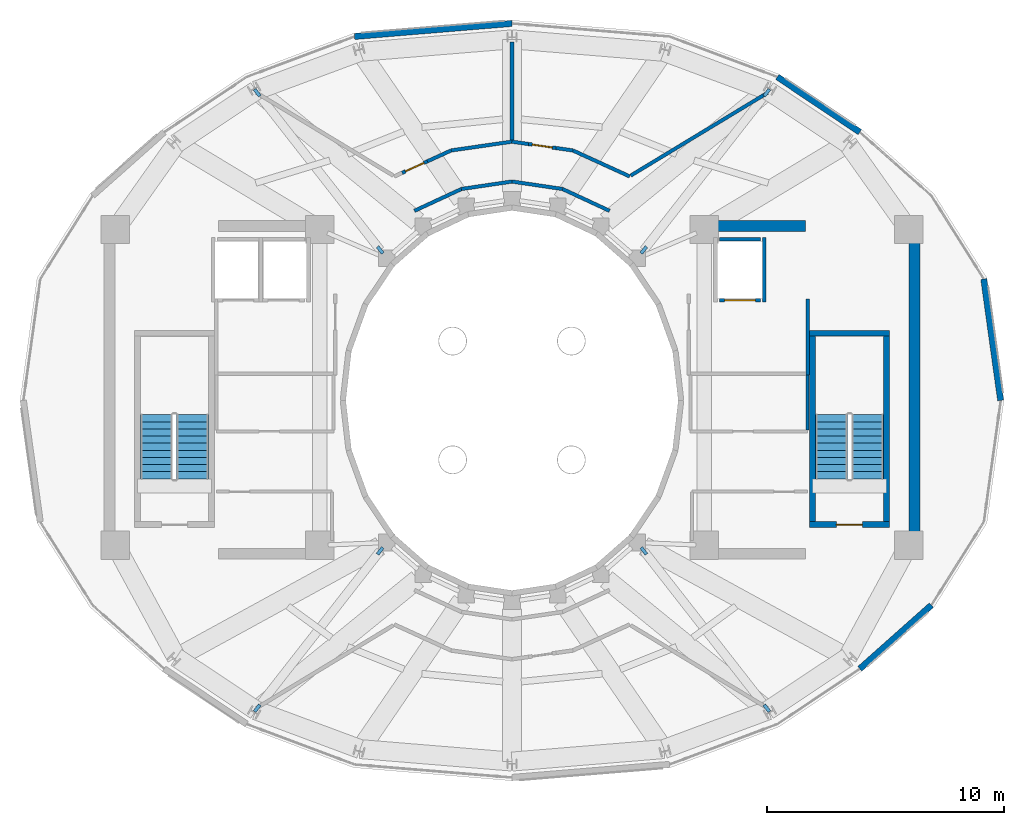
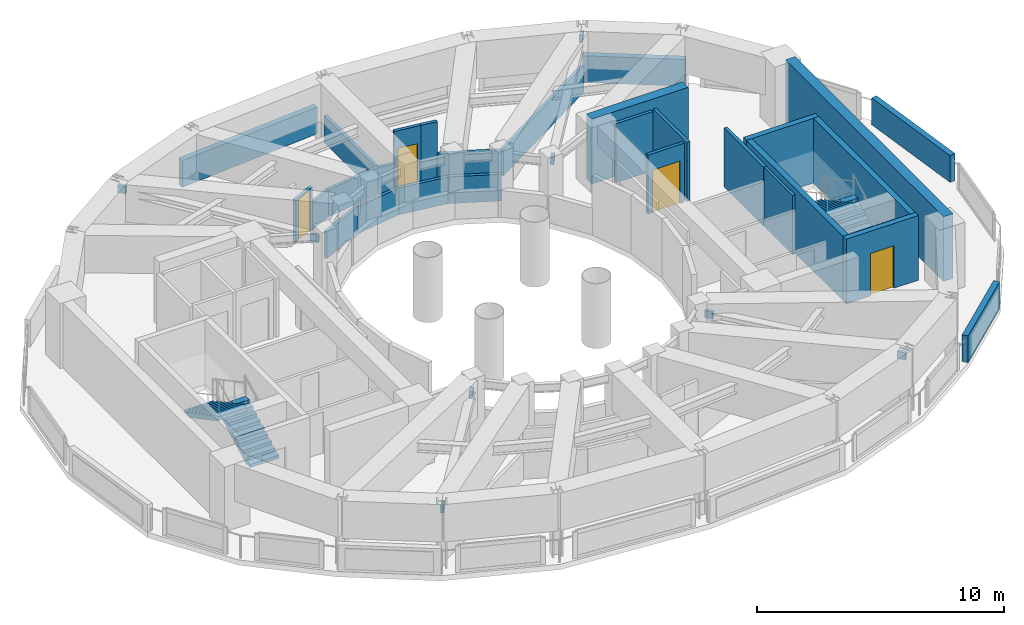
# One storey, part 15 of 18: 28 walls, 8 discrete accessories, 4 doors, 4 stair flights, 4 openings, 2 elements without a shape of their own.
"""IFC4 building model written with IfcOpenShell, lengths in metres."""

import ifcopenshell
import ifcopenshell.guid

model = None  # the IFC model being written
_history = None  # IfcOwnerHistory: only IFC2X3 demands one
_inside = {}  # id of a spatial element -> (the spatial element, [elements in it])
_under = {}  # id of a project, library or spatial element -> (it, [spatial elements below it])
_declared = {}  # id of a project -> (the project, [libraries it declares])
_typed = {}  # id of a type object -> (the type object, [elements of that type])
_made_of = {}  # id of a material, layer set ... -> (it, [elements and type objects made of it])


def new_model(schema):
    """Start an empty IFC model of exactly this schema.

    Asked for "IFC4X3", IfcOpenShell would pick the latest addendum, in which some entities
    have other attributes; the version numbers below select the first issue.
    IFC2X3 requires an IfcOwnerHistory on every rooted entity: one is made here for all.
    """
    global model, _history
    if schema == "IFC4X3":
        model = ifcopenshell.file(schema_version=(4, 3, 0, 0))
    else:
        model = ifcopenshell.file(schema=schema)
    _inside.clear()
    _under.clear()
    _declared.clear()
    _typed.clear()
    _made_of.clear()
    _history = None
    if model.schema == "IFC2X3":
        org = make("IfcOrganization", Name="unknown")
        user = make(
            "IfcPersonAndOrganization",
            ThePerson=make("IfcPerson", FamilyName="unknown"),
            TheOrganization=org,
        )
        app = make(
            "IfcApplication",
            ApplicationDeveloper=org,
            Version="unknown",
            ApplicationFullName="unknown",
            ApplicationIdentifier="unknown",
        )
        _history = make(
            "IfcOwnerHistory",
            OwningUser=user,
            OwningApplication=app,
            ChangeAction="ADDED",
            CreationDate=0,
        )
    return model


def make(cls, **values):
    """One entity of the class cls with the attributes given. An attribute that is None is left unset."""
    return model.create_entity(
        cls, **{name: value for name, value in values.items() if value is not None}
    )


def rooted(cls, **values):
    """An entity with a GlobalId (a new one), such as an element, a storey or a relation."""
    return make(cls, GlobalId=ifcopenshell.guid.new(), OwnerHistory=_history, **values)


def si_unit(unit_type, name, prefix=None):
    """IfcSIUnit, for example si_unit("LENGTHUNIT", "METRE", prefix="MILLI")."""
    return make("IfcSIUnit", UnitType=unit_type, Prefix=prefix, Name=name)


def assignment(units):
    """IfcUnitAssignment: the units of a project."""
    return None if units is None else make("IfcUnitAssignment", Units=units)


def point(xyz):
    """IfcCartesianPoint."""
    return None if xyz is None else make("IfcCartesianPoint", Coordinates=xyz)


def direction(xyz):
    """IfcDirection."""
    return None if xyz is None else make("IfcDirection", DirectionRatios=xyz)


def frame(location, z_axis=None, x_axis=None):
    """IfcAxis2Placement3D, a coordinate frame: its origin and axes. An axis left out is left unset."""
    return make(
        "IfcAxis2Placement3D",
        Location=point(location),
        Axis=direction(z_axis),
        RefDirection=direction(x_axis),
    )


def frame_2d(location, x_axis=None):
    """IfcAxis2Placement2D, a coordinate frame in the plane: its origin and x axis."""
    return make(
        "IfcAxis2Placement2D", Location=point(location), RefDirection=direction(x_axis)
    )


def origin():
    """The frame at (0, 0, 0) with its axes left unset."""
    return frame((0.0, 0.0, 0.0))


def origin_2d():
    """The frame at (0, 0) in the plane with its x axis left unset."""
    return frame_2d((0.0, 0.0))


def place(relative_to, where):
    """IfcLocalPlacement: puts the frame where relative to a parent placement (None: the world)."""
    return make(
        "IfcLocalPlacement", PlacementRelTo=relative_to, RelativePlacement=where
    )


def context(
    kind, dimensions, precision=None, world=None, true_north=None, identifier=None
):
    """IfcGeometricRepresentationContext, for example the 3D "Model" context."""
    return make(
        "IfcGeometricRepresentationContext",
        ContextIdentifier=identifier,
        ContextType=kind,
        CoordinateSpaceDimension=dimensions,
        Precision=precision,
        WorldCoordinateSystem=world,
        TrueNorth=true_north,
    )


def subcontext(parent, identifier, kind, view, scale=None):
    """IfcGeometricRepresentationSubContext, for example "Body" below "Model"."""
    return make(
        "IfcGeometricRepresentationSubContext",
        ContextIdentifier=identifier,
        ContextType=kind,
        ParentContext=parent,
        TargetScale=scale,
        TargetView=view,
    )


def project(units=None, contexts=None):
    """IfcProject with its units and contexts."""
    return rooted(
        "IfcProject",
        Name="project",
        RepresentationContexts=contexts,
        UnitsInContext=assignment(units),
    )


def spatial(cls, under=None, at=None, **own):
    """A site, building, storey or space (cls), placed at a placement, below another one or the project."""
    s = rooted(cls, ObjectPlacement=at, **own)
    if under is not None:
        _under.setdefault(under.id(), (under, []))[1].append(s)
    return s


def polyline(points):
    """IfcPolyline through the points."""
    return make("IfcPolyline", Points=[point(p) for p in points])


def profile(cls, at=None, kind="AREA", **sizes):
    """A parametric profile (cls). Its sizes go by their IFC names, for example OverallWidth=200.0."""
    return make(cls, ProfileType=kind, Position=at, **sizes)


def rectangle(**sizes):
    """IfcRectangleProfileDef."""
    return profile("IfcRectangleProfileDef", **sizes)


def outline(outer, holes=None, kind="AREA"):
    """IfcArbitraryClosedProfileDef: a profile drawn as a closed curve; with holes, ...WithVoids."""
    if holes is None:
        return make("IfcArbitraryClosedProfileDef", ProfileType=kind, OuterCurve=outer)
    return make(
        "IfcArbitraryProfileDefWithVoids",
        ProfileType=kind,
        OuterCurve=outer,
        InnerCurves=holes,
    )


def extrude(swept, where, along, depth):
    """IfcExtrudedAreaSolid: the profile swept, set in the frame where, extruded along a direction by depth."""
    return make(
        "IfcExtrudedAreaSolid",
        SweptArea=swept,
        Position=where,
        ExtrudedDirection=direction(along),
        Depth=depth,
    )


def shape(context_of_items, identifier, shape_type, items):
    """IfcShapeRepresentation: the items that make up one representation, for example the "Body"."""
    return make(
        "IfcShapeRepresentation",
        ContextOfItems=context_of_items,
        RepresentationIdentifier=identifier,
        RepresentationType=shape_type,
        Items=items,
    )


def material(Name=None, Category=None):
    """IfcMaterial."""
    return make("IfcMaterial", Name=Name, Category=Category)


def layer(
    of_material, thickness, ventilated=None, Name=None, Category=None, Priority=None
):
    """IfcMaterialLayer: one layer of a wall or slab, of a material (None: an air gap)."""
    return make(
        "IfcMaterialLayer",
        Material=of_material,
        LayerThickness=thickness,
        IsVentilated=ventilated,
        Name=Name,
        Category=Category,
        Priority=Priority,
    )


def layer_set(layers, Name=None):
    """IfcMaterialLayerSet."""
    return make("IfcMaterialLayerSet", MaterialLayers=layers, LayerSetName=Name)


def made_of(thing, what):
    """Note that an element or type object is made of a material, layer set ...; save() writes the relation."""
    if what is not None:
        _made_of.setdefault(what.id(), (what, []))[1].append(thing)
    return thing


def type_object(cls, material=None, **own):
    """A type object (cls), such as IfcWallType, which elements share."""
    return made_of(rooted(cls, **own), material)


def element(
    cls,
    number,
    at=None,
    inside=None,
    cuts=None,
    type_object=None,
    material=None,
    context=None,
    identifier="Body",
    shape_type=None,
    held_by="IfcProductDefinitionShape",
    body=None,
    shapes=None,
    **own,
):
    """One element of the class cls, such as IfcWall. Its Tag is "e" and its number.

    at: its placement. inside: the storey or other place that contains it. cuts: it is an
    opening in that element (IfcRelVoidsElement). A single representation is given by context,
    identifier, shape_type and body (its items); several are given by shapes. held_by: the class
    of the entity that holds the representations. save() writes the other relations.
    """
    e = rooted(cls, Tag="e%d" % number, ObjectPlacement=at, **own)
    if body is not None:
        shapes = [shape(context, identifier, shape_type, body)]
    if shapes is not None:
        e.Representation = make(held_by, Representations=shapes)
    if inside is not None:
        _inside.setdefault(inside.id(), (inside, []))[1].append(e)
    if cuts is not None:
        rooted(
            "IfcRelVoidsElement", RelatingBuildingElement=cuts, RelatedOpeningElement=e
        )
    if type_object is not None:
        _typed.setdefault(type_object.id(), (type_object, []))[1].append(e)
    return made_of(e, material)


def fill(opening, filler):
    """IfcRelFillsElement: the door or window that sits in an opening."""
    return rooted(
        "IfcRelFillsElement",
        RelatingOpeningElement=opening,
        RelatedBuildingElement=filler,
    )


def aggregate(whole, parts):
    """IfcRelAggregates: a whole, such as a stair, and the parts it consists of."""
    return rooted("IfcRelAggregates", RelatingObject=whole, RelatedObjects=parts)


def save(model, path):
    """Write the relations noted so far, then the file.

    IfcRelAggregates (storeys below a building ...), IfcRelContainedInSpatialStructure (elements
    in a storey), IfcRelDefinesByType, IfcRelAssociatesMaterial and IfcRelDeclares: one each for
    every whole, place, type object, material and project.
    """
    for whole, parts in _under.values():
        aggregate(whole, parts)
    for where, things in _inside.values():
        rooted(
            "IfcRelContainedInSpatialStructure",
            RelatedElements=things,
            RelatingStructure=where,
        )
    for kind, things in _typed.values():
        rooted("IfcRelDefinesByType", RelatedObjects=things, RelatingType=kind)
    for what, things in _made_of.values():
        rooted("IfcRelAssociatesMaterial", RelatedObjects=things, RelatingMaterial=what)
    for by, libraries in _declared.values():
        rooted("IfcRelDeclares", RelatingContext=by, RelatedDefinitions=libraries)
    model.write(path)


model = new_model("IFC4")

# Units and contexts
model_context = context("Model", 3, precision=1e-05, world=origin(), true_north=direction((0.0, 1.0)))
body_context = subcontext(model_context, "Body", "Model", "MODEL_VIEW")
ifc_project = project(units=[si_unit("LENGTHUNIT", "METRE"), si_unit("AREAUNIT", "SQUARE_METRE"), si_unit("VOLUMEUNIT", "CUBIC_METRE"), si_unit("PLANEANGLEUNIT", "RADIAN"), si_unit("MASSUNIT", "GRAM", prefix="KILO")], contexts=[model_context])

# Site, building, storey
site_placement = place(None, origin())
site = spatial("IfcSite", under=ifc_project, at=site_placement, CompositionType="ELEMENT")
building_placement = place(site_placement, origin())
building = spatial("IfcBuilding", under=site, at=building_placement, Name="Solvane Sanctuary Tower", CompositionType="ELEMENT")
storey_placement = place(building_placement, frame((0.0, 0.0, 266.800048828125)))
storey = spatial("IfcBuildingStorey", under=building, at=storey_placement, Name="L81", CompositionType="ELEMENT", Elevation=266.800048828125)

# Walls
ifc_material_1 = material(Name="Concrete C50/60", Category="concrete")
ifc_layer_1 = layer(ifc_material_1, 0.449951171875, Name="Concrete C50/60")
ifc_layer_set_1 = layer_set([ifc_layer_1], Name="Concrete C50/60")
wall_type_1 = type_object("IfcWallType", Name="Wall W-CORE-450", PredefinedType="SHEAR", material=ifc_layer_set_1)
wall_1_placement = place(storey_placement, frame((48.949951171875, 17.050048828125, 0.0), z_axis=(0.0, 0.0, 1.0), x_axis=(0.0, 1.0, 0.0)))
element("IfcWall", 1, at=wall_1_placement, inside=storey, type_object=wall_type_1, Name="L81 Core Shear Wall EC-E", PredefinedType="SHEAR", context=body_context, shape_type="SweptSolid", body=[
    extrude(rectangle(XDim=12.800048828125, YDim=0.449951171875, at=frame_2d((6.39990234375, 0.0))), origin(), (0.0, 0.0, 1.0), 3.199951171875),
])
wall_2_placement = place(storey_placement, frame((39.85009765625, 30.35009765625, 0.0), z_axis=(0.0, 0.0, 1.0), x_axis=(1.0, 0.0, 0.0)))
element("IfcWall", 2, at=wall_2_placement, inside=storey, type_object=wall_type_1, Name="L81 Core Shear Wall EC-N", PredefinedType="SHEAR", context=body_context, shape_type="SweptSolid", body=[
    extrude(rectangle(XDim=4.5, YDim=0.449951171875, at=frame_2d((2.25, 0.0))), origin(), (0.0, 0.0, 1.0), 3.199951171875),
])
ifc_material_2 = material(Name="Acoustic Gypsum Partition Board")
ifc_layer_2 = layer(ifc_material_2, 0.14990234375, Name="Acoustic Gypsum Partition Board")
ifc_layer_set_2 = layer_set([ifc_layer_2], Name="Acoustic Gypsum Partition Board")
wall_type_2 = type_object("IfcWallType", Name="Wall W-CORR-150", PredefinedType="PARTITIONING", material=ifc_layer_set_2)
wall_3_placement = place(storey_placement, frame((44.449951171875, 24.080078125, 0.0), z_axis=(0.0, 0.0, 1.0), x_axis=(0.0, 1.0, 0.0)))
element("IfcWall", 3, at=wall_3_placement, inside=storey, type_object=wall_type_2, Name="L81 East Firefighting Lobby East Wall", PredefinedType="PARTITIONING", context=body_context, shape_type="SweptSolid", body=[
    extrude(rectangle(XDim=3.199951171875, YDim=0.14990234375, at=frame_2d((1.60009765625, 0.0))), origin(), (0.0, 0.0, 1.0), 2.9150390625),
])
wall_4_placement = place(storey_placement, frame((36.110107421875, 30.98486328125, 0.0), z_axis=(0.0, 0.0, 1.0), x_axis=(-0.906943449489, 0.421252393975, 0.0)))
element("IfcWall", 4, at=wall_4_placement, inside=storey, type_object=wall_type_2, Name="L81 Light-Well Corridor Rim Wall N1", PredefinedType="PARTITIONING", context=body_context, shape_type="SweptSolid", body=[
    extrude(rectangle(XDim=2.18603515625, YDim=0.14990234375, at=frame_2d((1.093017578125, 0.0))), origin(), (0.0, 0.0, 1.0), 1.320068359375),
])
for number, where, z_axis, x_axis, name in (
    (5, (34.12744140625, 31.90576171875, 0.0), (0.0, 0.0, 1.0), (-0.989268584896, 0.146108408166, 0.0), "L81 Light-Well Corridor Rim Wall N2"),
    (6, (32.0, 32.219970703125, 0.0), (0.0, 0.0, 1.0), (-0.989268584896, -0.146108408166, 0.0), "L81 Light-Well Corridor Rim Wall N3"),
):
    element("IfcWall", number, at=place(storey_placement, frame(where, z_axis=z_axis, x_axis=x_axis)), inside=storey, type_object=wall_type_2, Name=name, PredefinedType="PARTITIONING", context=body_context, shape_type="SweptSolid", body=[
        extrude(rectangle(XDim=2.150634765625, YDim=0.14990234375, at=frame_2d((1.0751953125, 0.0))), origin(), (0.0, 0.0, 1.0), 1.320068359375),
    ])
wall_5_placement = place(storey_placement, frame((29.87255859375, 31.90576171875, 0.0), z_axis=(0.0, 0.0, 1.0), x_axis=(-0.906943449489, -0.421252393975, 0.0)))
element("IfcWall", 7, at=wall_5_placement, inside=storey, type_object=wall_type_2, Name="L81 Light-Well Corridor Rim Wall N4", PredefinedType="PARTITIONING", context=body_context, shape_type="SweptSolid", body=[
    extrude(rectangle(XDim=2.18603515625, YDim=0.14990234375, at=frame_2d((1.093017578125, 0.0))), origin(), (0.0, 0.0, 1.0), 1.320068359375),
])
wall_6_placement = place(storey_placement, frame((36.9970703125, 32.46826171875, 0.0), z_axis=(0.0, 0.0, 1.0), x_axis=(0.855519935897, 0.517769870969, 0.0)))
element("IfcWall", 8, at=wall_6_placement, inside=storey, type_object=wall_type_2, Name="L81 Mechanical Plant Radial Wall 060", PredefinedType="PARTITIONING", context=body_context, shape_type="SweptSolid", body=[
    extrude(rectangle(XDim=6.736083984375, YDim=0.14990234375, at=frame_2d((3.3681640625, 0.0))), origin(), (0.0, 0.0, 1.0), 1.320068359375),
])
wall_7_placement = place(storey_placement, frame((32.0, 33.955078125, 0.0), z_axis=(0.0, 0.0, 1.0), x_axis=(0.0, 1.0, 0.0)))
element("IfcWall", 9, at=wall_7_placement, inside=storey, type_object=wall_type_2, Name="L81 Mechanical Plant Radial Wall 090", PredefinedType="PARTITIONING", context=body_context, shape_type="SweptSolid", body=[
    extrude(rectangle(XDim=4.142822265625, YDim=0.14990234375, at=frame_2d((2.0712890625, 0.0))), origin(), (0.0, 0.0, 1.0), 1.320068359375),
])
wall_8_placement = place(storey_placement, frame((36.9560546875, 32.435791015625, 0.0), z_axis=(0.0, 0.0, 1.0), x_axis=(-0.909736731002, 0.415185597373, 0.0)))
element("IfcWall", 10, at=wall_8_placement, inside=storey, type_object=wall_type_2, Name="L81 Plant Corridor Wall 1", PredefinedType="PARTITIONING", context=body_context, shape_type="SweptSolid", body=[
    extrude(rectangle(XDim=2.63330078125, YDim=0.14990234375, at=frame_2d((1.316650390625, 0.0))), origin(), (0.0, 0.0, 1.0), 1.320068359375),
])
wall_9_placement = place(storey_placement, frame((34.56396484375, 33.528076171875, 0.0), z_axis=(0.0, 0.0, 1.0), x_axis=(-0.98967396594, 0.143336810138, 0.0)))
element("IfcWall", 11, at=wall_9_placement, inside=storey, type_object=wall_type_2, Name="L81 Plant Corridor Wall 1", PredefinedType="PARTITIONING", context=body_context, shape_type="SweptSolid", body=[
    extrude(rectangle(XDim=0.713623046875, YDim=0.14990234375, at=frame_2d((0.35693359375, 0.0))), origin(), (0.0, 0.0, 1.0), 2.9150390625),
])

# Wall, opening, door
wall_10_placement = place(storey_placement, frame((33.857666015625, 33.63037109375, 0.0), z_axis=(0.0, 0.0, 1.0), x_axis=(-0.989701767603, 0.143144721184, 0.0)))
wall_10 = element("IfcWall", 12, at=wall_10_placement, inside=storey, type_object=wall_type_2, Name="L81 Plant Corridor Wall 1", PredefinedType="PARTITIONING", context=body_context, shape_type="SweptSolid", body=[
    extrude(rectangle(XDim=1.169921875, YDim=0.14990234375, at=frame_2d((0.5849609375, 0.0))), origin(), (0.0, 0.0, 1.0), 2.9150390625),
])
opening_1_placement = place(wall_10_placement, frame((0.159912109375, 0.0, 0.0)))
opening_1 = element("IfcOpeningElement", 13, at=opening_1_placement, cuts=wall_10, Name="Opening D-L81-09", PredefinedType="OPENING", context=body_context, shape_type="SweptSolid", body=[
    extrude(rectangle(XDim=0.85009765625, YDim=2.050048828125, at=frame_2d((0.425048828125, 1.02490234375))), frame((0.0, 0.0849609375, 0.0), z_axis=(0.0, -1.0, 0.0), x_axis=(1.0, 0.0, 0.0)), (0.0, 0.0, 1.0), 0.169921875),
])
ifc_material_3 = material(Name="Architectural Stainless Steel 316", Category="steel")
door_type_1 = type_object("IfcDoorType", Name="Door D-RISER", OperationType="NOTDEFINED", PredefinedType="DOOR", material=ifc_material_3)
door_1_placement = place(opening_1_placement, origin())
door_1 = element("IfcDoor", 14, at=door_1_placement, inside=storey, type_object=door_type_1, Name="L81 Plant Room Door 1", OperationType="SINGLE_SWING_LEFT", OverallHeight=2.050048828125, OverallWidth=0.85009765625, PredefinedType="DOOR", context=body_context, shape_type="SweptSolid", body=[
    extrude(rectangle(XDim=0.85009765625, YDim=2.050048828125, at=frame_2d((0.425048828125, 1.02490234375))), frame((0.0, 0.02490234375, 0.0), z_axis=(0.0, -1.0, 0.0), x_axis=(1.0, 0.0, 0.0)), (0.0, 0.0, 1.0), 0.050048828125),
])
fill(opening_1, door_1)

# Walls
wall_11_placement = place(storey_placement, frame((32.69970703125, 33.7978515625, 0.0), z_axis=(0.0, 0.0, 1.0), x_axis=(-0.989729432137, 0.142953318118, 0.0)))
element("IfcWall", 15, at=wall_11_placement, inside=storey, type_object=wall_type_2, Name="L81 Plant Corridor Wall 1", PredefinedType="PARTITIONING", context=body_context, shape_type="SweptSolid", body=[
    extrude(rectangle(XDim=0.7138671875, YDim=0.14990234375, at=frame_2d((0.35693359375, 0.0))), origin(), (0.0, 0.0, 1.0), 1.320068359375),
])
wall_12_placement = place(storey_placement, frame((32.0068359375, 33.89990234375, 0.0), z_axis=(0.0, 0.0, 1.0), x_axis=(-0.989701742337, -0.143144895876, 0.0)))
element("IfcWall", 16, at=wall_12_placement, inside=storey, type_object=wall_type_2, Name="L81 Plant Corridor Wall 2", PredefinedType="PARTITIONING", context=body_context, shape_type="SweptSolid", body=[
    extrude(rectangle(XDim=2.59765625, YDim=0.14990234375, at=frame_2d((1.298828125, 0.0))), origin(), (0.0, 0.0, 1.0), 1.320068359375),
])
wall_13_placement = place(storey_placement, frame((29.439453125, 33.529052734375, 0.0), z_axis=(0.0, 0.0, 1.0), x_axis=(-0.909797051829, -0.415053399557, 0.0)))
element("IfcWall", 17, at=wall_13_placement, inside=storey, type_object=wall_type_2, Name="L81 Plant Corridor Wall 2", PredefinedType="PARTITIONING", context=body_context, shape_type="SweptSolid", body=[
    extrude(rectangle(XDim=1.102783203125, YDim=0.14990234375, at=frame_2d((0.55126953125, 0.0))), origin(), (0.0, 0.0, 1.0), 1.320068359375),
])

# Wall, opening, door
wall_14_placement = place(storey_placement, frame((28.43603515625, 33.0712890625, 0.0), z_axis=(0.0, 0.0, 1.0), x_axis=(-0.90972227288, -0.415217275925, 0.0)))
wall_14 = element("IfcWall", 18, at=wall_14_placement, inside=storey, type_object=wall_type_2, Name="L81 Plant Corridor Wall 2", PredefinedType="PARTITIONING", context=body_context, shape_type="SweptSolid", body=[
    extrude(rectangle(XDim=1.170166015625, YDim=0.14990234375, at=frame_2d((0.5849609375, 0.0))), origin(), (0.0, 0.0, 1.0), 2.10986328125),
])
opening_2_placement = place(wall_14_placement, frame((0.159912109375, 0.0, 0.0)))
opening_2 = element("IfcOpeningElement", 19, at=opening_2_placement, cuts=wall_14, Name="Opening D-L81-10", PredefinedType="OPENING", context=body_context, shape_type="SweptSolid", body=[
    extrude(rectangle(XDim=0.85009765625, YDim=2.050048828125, at=frame_2d((0.425048828125, 1.02490234375))), frame((0.0, 0.0849609375, 0.0), z_axis=(0.0, -1.0, 0.0), x_axis=(1.0, 0.0, 0.0)), (0.0, 0.0, 1.0), 0.169921875),
])
door_2_placement = place(opening_2_placement, origin())
door_2 = element("IfcDoor", 20, at=door_2_placement, inside=storey, type_object=door_type_1, Name="L81 Plant Room Door 2", OperationType="SINGLE_SWING_RIGHT", OverallHeight=2.050048828125, OverallWidth=0.85009765625, PredefinedType="DOOR", context=body_context, shape_type="SweptSolid", body=[
    extrude(rectangle(XDim=0.85009765625, YDim=2.050048828125, at=frame_2d((0.425048828125, 1.02490234375))), frame((0.0, 0.02490234375, 0.0), z_axis=(0.0, -1.0, 0.0), x_axis=(1.0, 0.0, 0.0)), (0.0, 0.0, 1.0), 0.050048828125),
])
fill(opening_2, door_2)

# Walls
ifc_material_4 = material(Name="Precast concrete C40/50", Category="concrete")
ifc_layer_3 = layer(ifc_material_4, 0.260009765625, Name="Precast concrete C40/50")
ifc_layer_set_3 = layer_set([ifc_layer_3], Name="Precast concrete C40/50")
wall_type_3 = type_object("IfcWallType", Name="Wall W-EXT-250", PredefinedType="STANDARD", material=ifc_layer_set_3)
wall_15_placement = place(storey_placement, frame((52.580078125, 23.0, 0.0), z_axis=(0.0, 0.0, 1.0), x_axis=(-0.137694611679, 0.990474731588, 0.0)))
element("IfcWall", 21, at=wall_15_placement, inside=storey, type_object=wall_type_3, Name="L81 Crown Acoustic Louvred Wall 00", PredefinedType="STANDARD", context=body_context, shape_type="SweptSolid", body=[
    extrude(rectangle(XDim=5.1650390625, YDim=0.260009765625, at=frame_2d((2.58251953125, 0.0))), origin(), (0.0, 0.0, 1.0), 1.320068359375),
])
wall_16_placement = place(storey_placement, frame((46.646728515625, 34.30029296875, 0.0), z_axis=(0.0, 0.0, 1.0), x_axis=(-0.830699736256, 0.556720709319, 0.0)))
element("IfcWall", 22, at=wall_16_placement, inside=storey, type_object=wall_type_3, Name="L81 Crown Acoustic Louvred Wall 03", PredefinedType="STANDARD", context=body_context, shape_type="SweptSolid", body=[
    extrude(rectangle(XDim=4.17919921875, YDim=0.260009765625, at=frame_2d((2.089599609375, 0.0))), origin(), (0.0, 0.0, 1.0), 1.320068359375),
])
wall_17_placement = place(storey_placement, frame((32.0, 38.8779296875, 0.0), z_axis=(0.0, 0.0, 1.0), x_axis=(-0.996594930521, -0.08245328653, 0.0)))
element("IfcWall", 23, at=wall_17_placement, inside=storey, type_object=wall_type_3, Name="L81 Crown Acoustic Louvred Wall 06", PredefinedType="STANDARD", context=body_context, shape_type="SweptSolid", body=[
    extrude(rectangle(XDim=6.6533203125, YDim=0.260009765625, at=frame_2d((3.32666015625, 0.0))), origin(), (0.0, 0.0, 1.0), 1.320068359375),
])
wall_18_placement = place(storey_placement, frame((46.646728515625, 11.69970703125, 0.0), z_axis=(0.0, 0.0, 1.0), x_axis=(0.747666410784, 0.664074497467, 0.0)))
element("IfcWall", 24, at=wall_18_placement, inside=storey, type_object=wall_type_3, Name="L81 Crown Acoustic Louvred Wall 21", PredefinedType="STANDARD", context=body_context, shape_type="SweptSolid", body=[
    extrude(rectangle(XDim=4.033447265625, YDim=0.260009765625, at=frame_2d((2.0166015625, 0.0))), origin(), (0.0, 0.0, 1.0), 1.320068359375),
])
ifc_layer_4 = layer(ifc_material_2, 0.125, Name="Acoustic Gypsum Partition Board")
ifc_layer_set_4 = layer_set([ifc_layer_4], Name="Acoustic Gypsum Partition Board")
wall_type_4 = type_object("IfcWallType", Name="Wall W-PART-125", PredefinedType="PARTITIONING", material=ifc_layer_set_4)
wall_19_placement = place(storey_placement, frame((44.449951171875, 21.760009765625, 0.0), z_axis=(0.0, 0.0, 1.0), x_axis=(0.0, 1.0, 0.0)))
element("IfcWall", 25, at=wall_19_placement, inside=storey, type_object=wall_type_4, Name="L81 Reclaimed Room Closer Wall PME-2", PredefinedType="PARTITIONING", context=body_context, shape_type="SweptSolid", body=[
    extrude(rectangle(XDim=2.320068359375, YDim=0.125, at=frame_2d((1.16015625, 0.0))), origin(), (0.0, 0.0, 1.0), 2.9150390625),
])

# Wall, opening, door
ifc_layer_5 = layer(ifc_material_1, 0.14990234375, Name="Concrete C50/60")
ifc_layer_set_5 = layer_set([ifc_layer_5], Name="Concrete C50/60")
wall_type_5 = type_object("IfcWallType", Name="Wall W-SHAFT-150", PredefinedType="SOLIDWALL", material=ifc_layer_set_5)
wall_20_placement = place(storey_placement, frame((40.739990234375, 27.219970703125, 0.0), z_axis=(0.0, 0.0, 1.0), x_axis=(1.0, 0.0, 0.0)))
wall_20 = element("IfcWall", 26, at=wall_20_placement, inside=storey, type_object=wall_type_5, Name="L81 FFL-2 Lift Shaft Wall F", PredefinedType="SOLIDWALL", context=body_context, shape_type="SweptSolid", body=[
    extrude(rectangle(XDim=1.719970703125, YDim=0.14990234375, at=frame_2d((0.85986328125, 0.0))), origin(), (0.0, 0.0, 1.0), 2.9150390625),
])
opening_3_placement = place(wall_20_placement, frame((0.2099609375, 0.0, 0.0)))
opening_3 = element("IfcOpeningElement", 27, at=opening_3_placement, cuts=wall_20, Name="Opening LD-L81-03", PredefinedType="OPENING", context=body_context, shape_type="SweptSolid", body=[
    extrude(rectangle(XDim=1.300048828125, YDim=2.10009765625, at=frame_2d((0.64990234375, 1.050048828125))), frame((0.0, 0.0849609375, 0.0), z_axis=(0.0, -1.0, 0.0), x_axis=(1.0, 0.0, 0.0)), (0.0, 0.0, 1.0), 0.169921875),
])
door_type_2 = type_object("IfcDoorType", Name="Door LD-FFL-1300", OperationType="NOTDEFINED", PredefinedType="DOOR", material=ifc_material_3)
door_3_placement = place(opening_3_placement, origin())
door_3 = element("IfcDoor", 28, at=door_3_placement, inside=storey, type_object=door_type_2, Name="L81 FFL-2 Lift Landing Door", OperationType="DOUBLE_DOOR_SLIDING", OverallHeight=2.10009765625, OverallWidth=1.300048828125, PredefinedType="DOOR", context=body_context, shape_type="SweptSolid", body=[
    extrude(rectangle(XDim=1.300048828125, YDim=2.10009765625, at=frame_2d((0.64990234375, 1.050048828125))), frame((0.0, 0.02490234375, 0.0), z_axis=(0.0, -1.0, 0.0), x_axis=(1.0, 0.0, 0.0)), (0.0, 0.0, 1.0), 0.050048828125),
])
fill(opening_3, door_3)

# Walls
wall_21_placement = place(storey_placement, frame((40.739990234375, 29.780029296875, 0.0), z_axis=(0.0, 0.0, 1.0), x_axis=(1.0, 0.0, 0.0)))
element("IfcWall", 29, at=wall_21_placement, inside=storey, type_object=wall_type_5, Name="L81 FFL-2 Lift Shaft Wall B", PredefinedType="SOLIDWALL", context=body_context, shape_type="SweptSolid", body=[
    extrude(rectangle(XDim=1.719970703125, YDim=0.14990234375, at=frame_2d((0.85986328125, 0.0))), origin(), (0.0, 0.0, 1.0), 2.9150390625),
])
wall_22_placement = place(storey_placement, frame((42.6298828125, 27.139892578125, 0.0), z_axis=(0.0, 0.0, 1.0), x_axis=(0.0, 1.0, 0.0)))
element("IfcWall", 30, at=wall_22_placement, inside=storey, type_object=wall_type_5, Name="L81 FFL-2 Lift Shaft Wall S2", PredefinedType="SOLIDWALL", context=body_context, shape_type="SweptSolid", body=[
    extrude(rectangle(XDim=2.72021484375, YDim=0.14990234375, at=frame_2d((1.360107421875, 0.0))), origin(), (0.0, 0.0, 1.0), 2.9150390625),
])

# Wall, opening, door
ifc_layer_6 = layer(ifc_material_1, 0.25, Name="Concrete C50/60")
ifc_layer_set_6 = layer_set([ifc_layer_6], Name="Concrete C50/60")
wall_type_6 = type_object("IfcWallType", Name="Wall W-SHAFT-250", PredefinedType="SOLIDWALL", material=ifc_layer_set_6)
wall_23_placement = place(storey_placement, frame((44.52490234375, 17.77001953125, 0.0), z_axis=(0.0, 0.0, 1.0), x_axis=(1.0, 0.0, 0.0)))
wall_23 = element("IfcWall", 31, at=wall_23_placement, inside=storey, type_object=wall_type_6, Name="L81 ST-2 Load-Bearing Shaft Wall S", PredefinedType="SOLIDWALL", context=body_context, shape_type="SweptSolid", body=[
    extrude(rectangle(XDim=3.3701171875, YDim=0.25, at=frame_2d((1.68505859375, 0.0))), origin(), (0.0, 0.0, 1.0), 3.199951171875),
])
opening_4_placement = place(wall_23_placement, frame((1.135009765625, 0.0, 0.0)))
opening_4 = element("IfcOpeningElement", 32, at=opening_4_placement, cuts=wall_23, Name="Opening D-L81-02", PredefinedType="OPENING", context=body_context, shape_type="SweptSolid", body=[
    extrude(rectangle(XDim=1.10009765625, YDim=2.10009765625, at=frame_2d((0.550048828125, 1.050048828125))), frame((0.0, 0.135009765625, 0.0), z_axis=(0.0, -1.0, 0.0), x_axis=(1.0, 0.0, 0.0)), (0.0, 0.0, 1.0), 0.27001953125),
])
door_type_3 = type_object("IfcDoorType", Name="Door D-STAIR", OperationType="NOTDEFINED", PredefinedType="DOOR", material=ifc_material_3)
door_4_placement = place(opening_4_placement, origin())
door_4 = element("IfcDoor", 33, at=door_4_placement, inside=storey, type_object=door_type_3, Name="L81 ST-2 Exit Stair Fire Door", OperationType="SINGLE_SWING_RIGHT", OverallHeight=2.10009765625, OverallWidth=1.10009765625, PredefinedType="DOOR", context=body_context, shape_type="SweptSolid", body=[
    extrude(rectangle(XDim=1.10009765625, YDim=2.10009765625, at=frame_2d((0.550048828125, 1.050048828125))), frame((0.0, 0.02490234375, 0.0), z_axis=(0.0, -1.0, 0.0), x_axis=(1.0, 0.0, 0.0)), (0.0, 0.0, 1.0), 0.050048828125),
])
fill(opening_4, door_4)

# Walls
wall_24_placement = place(storey_placement, frame((44.52490234375, 25.830078125, 0.0), z_axis=(0.0, 0.0, 1.0), x_axis=(1.0, 0.0, 0.0)))
element("IfcWall", 34, at=wall_24_placement, inside=storey, type_object=wall_type_6, Name="L81 ST-2 Load-Bearing Shaft Wall N", PredefinedType="SOLIDWALL", context=body_context, shape_type="SweptSolid", body=[
    extrude(rectangle(XDim=3.3701171875, YDim=0.25, at=frame_2d((1.68505859375, 0.0))), origin(), (0.0, 0.0, 1.0), 3.199951171875),
])
for number, where, z_axis, x_axis, name in (
    (35, (44.64990234375, 17.89501953125, 0.0), (0.0, 0.0, 1.0), (0.0, 1.0, 0.0), "L81 ST-2 Load-Bearing Shaft Wall W"),
    (36, (47.77001953125, 17.89501953125, 0.0), (0.0, 0.0, 1.0), (0.0, 1.0, 0.0), "L81 ST-2 Load-Bearing Shaft Wall E"),
):
    element("IfcWall", number, at=place(storey_placement, frame(where, z_axis=z_axis, x_axis=x_axis)), inside=storey, type_object=wall_type_6, Name=name, PredefinedType="SOLIDWALL", context=body_context, shape_type="SweptSolid", body=[
        extrude(rectangle(XDim=7.81005859375, YDim=0.25, at=frame_2d((3.905029296875, 0.0))), origin(), (0.0, 0.0, 1.0), 3.199951171875),
    ])

# Stair, stair flights
ifc_material_5 = material(Name="Concrete C45/55", Category="concrete")
stair_type = type_object("IfcStairType", Name="Stair ST-TOW", PredefinedType="HALF_TURN_STAIR", material=ifc_material_5)
stair_1_placement = place(storey_placement, origin())
stair_1 = element("IfcStair", 37, at=stair_1_placement, inside=storey, type_object=stair_type, Name="L81 Exit Stair ST-1 West Core", PredefinedType="HALF_TURN_STAIR")
stair_flight_type = type_object("IfcStairFlightType", Name="StairFlight SF-TOW", PredefinedType="STRAIGHT", material=ifc_material_5)
stair_flight_1_placement = place(storey_placement, frame((18.544921875, 19.699951171875, 0.0), z_axis=(0.0, 0.0, 1.0), x_axis=(0.0, 1.0, 0.0)))
stair_flight_1 = element("IfcStairFlight", 38, at=stair_flight_1_placement, type_object=stair_flight_type, Name="ST-1 flight 1", NumberOfRisers=10, NumberOfTreads=9, PredefinedType="STRAIGHT", RiserHeight=0.16, TreadLength=0.3, context=body_context, shape_type="SweptSolid", body=[
    extrude(outline(polyline([(0.0, 0.0), (0.0, 0.159912109375), (0.300048828125, 0.159912109375), (0.300048828125, 0.320068359375), (0.60009765625, 0.320068359375), (0.60009765625, 0.47998046875), (0.89990234375, 0.47998046875), (0.89990234375, 0.639892578125), (1.199951171875, 0.639892578125), (1.199951171875, 0.800048828125), (1.5, 0.800048828125), (1.5, 0.9599609375), (1.800048828125, 0.9599609375), (1.800048828125, 1.1201171875), (2.10009765625, 1.1201171875), (2.10009765625, 1.280029296875), (2.39990234375, 1.280029296875), (2.39990234375, 1.43994140625), (2.699951171875, 1.43994140625), (2.699951171875, 1.60009765625), (2.699951171875, 1.236083984375), (0.38232421875, 0.0), (0.0, 0.0)])), frame((0.0, 0.675048828125, 0.0), z_axis=(0.0, -1.0, 0.0), x_axis=(1.0, 0.0, 0.0)), (0.0, 0.0, 1.0), 1.35009765625),
])
stair_flight_2_placement = place(storey_placement, frame((17.034912109375, 22.39990234375, 1.599853515625), z_axis=(0.0, 0.0, 1.0), x_axis=(0.0, -1.0, 0.0)))
stair_flight_2 = element("IfcStairFlight", 39, at=stair_flight_2_placement, type_object=stair_flight_type, Name="ST-1 flight 2", NumberOfRisers=10, NumberOfTreads=9, PredefinedType="STRAIGHT", RiserHeight=0.16, TreadLength=0.3, context=body_context, shape_type="SweptSolid", body=[
    extrude(outline(polyline([(0.0, 0.0), (0.0, 0.159912109375), (0.300048828125, 0.159912109375), (0.300048828125, 0.320068359375), (0.60009765625, 0.320068359375), (0.60009765625, 0.47998046875), (0.89990234375, 0.47998046875), (0.89990234375, 0.639892578125), (1.199951171875, 0.639892578125), (1.199951171875, 0.800048828125), (1.5, 0.800048828125), (1.5, 0.9599609375), (1.800048828125, 0.9599609375), (1.800048828125, 1.1201171875), (2.10009765625, 1.1201171875), (2.10009765625, 1.280029296875), (2.39990234375, 1.280029296875), (2.39990234375, 1.43994140625), (2.699951171875, 1.43994140625), (2.699951171875, 1.60009765625), (2.699951171875, 1.236083984375), (0.38232421875, 0.0), (0.0, 0.0)])), frame((0.0, 0.675048828125, 0.0), z_axis=(0.0, -1.0, 0.0), x_axis=(1.0, 0.0, 0.0)), (0.0, 0.0, 1.0), 1.35009765625),
])
aggregate(stair_1, [stair_flight_1, stair_flight_2])

stair_2_placement = place(storey_placement, origin())
stair_2 = element("IfcStair", 40, at=stair_2_placement, inside=storey, type_object=stair_type, Name="L81 Exit Stair ST-2 East Core", PredefinedType="HALF_TURN_STAIR")
stair_flight_3_placement = place(storey_placement, frame((46.965087890625, 19.699951171875, 0.0), z_axis=(0.0, 0.0, 1.0), x_axis=(0.0, 1.0, 0.0)))
stair_flight_3 = element("IfcStairFlight", 41, at=stair_flight_3_placement, type_object=stair_flight_type, Name="ST-2 flight 1", NumberOfRisers=10, NumberOfTreads=9, PredefinedType="STRAIGHT", RiserHeight=0.16, TreadLength=0.3, context=body_context, shape_type="SweptSolid", body=[
    extrude(outline(polyline([(0.0, 0.0), (0.0, 0.159912109375), (0.300048828125, 0.159912109375), (0.300048828125, 0.320068359375), (0.60009765625, 0.320068359375), (0.60009765625, 0.47998046875), (0.89990234375, 0.47998046875), (0.89990234375, 0.639892578125), (1.199951171875, 0.639892578125), (1.199951171875, 0.800048828125), (1.5, 0.800048828125), (1.5, 0.9599609375), (1.800048828125, 0.9599609375), (1.800048828125, 1.1201171875), (2.10009765625, 1.1201171875), (2.10009765625, 1.280029296875), (2.39990234375, 1.280029296875), (2.39990234375, 1.43994140625), (2.699951171875, 1.43994140625), (2.699951171875, 1.60009765625), (2.699951171875, 1.236083984375), (0.38232421875, 0.0), (0.0, 0.0)])), frame((0.0, 0.675048828125, 0.0), z_axis=(0.0, -1.0, 0.0), x_axis=(1.0, 0.0, 0.0)), (0.0, 0.0, 1.0), 1.35009765625),
])
stair_flight_4_placement = place(storey_placement, frame((45.455078125, 22.39990234375, 1.599853515625), z_axis=(0.0, 0.0, 1.0), x_axis=(0.0, -1.0, 0.0)))
stair_flight_4 = element("IfcStairFlight", 42, at=stair_flight_4_placement, type_object=stair_flight_type, Name="ST-2 flight 2", NumberOfRisers=10, NumberOfTreads=9, PredefinedType="STRAIGHT", RiserHeight=0.16, TreadLength=0.3, context=body_context, shape_type="SweptSolid", body=[
    extrude(outline(polyline([(0.0, 0.0), (0.0, 0.159912109375), (0.300048828125, 0.159912109375), (0.300048828125, 0.320068359375), (0.60009765625, 0.320068359375), (0.60009765625, 0.47998046875), (0.89990234375, 0.47998046875), (0.89990234375, 0.639892578125), (1.199951171875, 0.639892578125), (1.199951171875, 0.800048828125), (1.5, 0.800048828125), (1.5, 0.9599609375), (1.800048828125, 0.9599609375), (1.800048828125, 1.1201171875), (2.10009765625, 1.1201171875), (2.10009765625, 1.280029296875), (2.39990234375, 1.280029296875), (2.39990234375, 1.43994140625), (2.699951171875, 1.43994140625), (2.699951171875, 1.60009765625), (2.699951171875, 1.236083984375), (0.38232421875, 0.0), (0.0, 0.0)])), frame((0.0, 0.675048828125, 0.0), z_axis=(0.0, -1.0, 0.0), x_axis=(1.0, 0.0, 0.0)), (0.0, 0.0, 1.0), 1.35009765625),
])
aggregate(stair_2, [stair_flight_3, stair_flight_4])

# Discrete accessories
ifc_material_6 = material(Name="Steel ASTM A572 Grade 50", Category="steel")
ifc_layer_7 = layer(ifc_material_6, 0.360107421875, Name="Steel ASTM A572 Grade 50")
ifc_layer_set_7 = layer_set([ifc_layer_7], Name="Steel ASTM A572 Grade 50")
discrete_accessory_type = type_object("IfcDiscreteAccessoryType", Name="Accessory ACC-GUSSET-BRK", PredefinedType="BRACKET", material=ifc_layer_set_7)
for number, where, z_axis, x_axis, name in (
    (43, (37.551513671875, 29.3359375, 2.3603515625), (0.0, 0.0, 1.0), (0.61579899977, 0.787903288407, 0.0), "L81 Crown Bracing Tie 01 End Gusset Bracket A"),
    (44, (42.72900390625, 35.96142578125, 2.55517578125), (0.0, 0.0, 1.0), (0.61579899977, 0.787903288407, 0.0), "L81 Crown Bracing Tie 01 End Gusset Bracket B"),
    (45, (26.448486328125, 29.3359375, 2.3603515625), (0.0, 0.0, 1.0), (-0.61579899977, 0.787903288407, 0.0), "L81 Crown Bracing Tie 07 End Gusset Bracket A"),
    (46, (21.27099609375, 35.96142578125, 2.55517578125), (0.0, 0.0, 1.0), (-0.61579899977, 0.787903288407, 0.0), "L81 Crown Bracing Tie 07 End Gusset Bracket B"),
    (47, (26.448486328125, 16.6640625, 2.3603515625), (0.0, 0.0, 1.0), (-0.61579899977, -0.787903288407, 0.0), "L81 Crown Bracing Tie 08 End Gusset Bracket A"),
    (48, (21.27099609375, 10.03857421875, 2.55517578125), (0.0, 0.0, 1.0), (-0.61579899977, -0.787903288407, 0.0), "L81 Crown Bracing Tie 08 End Gusset Bracket B"),
    (49, (37.551513671875, 16.6640625, 2.3603515625), (0.0, 0.0, 1.0), (0.61579899977, -0.787903288407, 0.0), "L81 Crown Bracing Tie 14 End Gusset Bracket A"),
    (50, (42.72900390625, 10.03857421875, 2.55517578125), (0.0, 0.0, 1.0), (0.61579899977, -0.787903288407, 0.0), "L81 Crown Bracing Tie 14 End Gusset Bracket B"),
):
    element("IfcDiscreteAccessory", number, at=place(storey_placement, frame(where, z_axis=z_axis, x_axis=x_axis)), inside=storey, type_object=discrete_accessory_type, Name=name, PredefinedType="BRACKET", context=body_context, shape_type="SweptSolid", body=[
        extrude(rectangle(XDim=0.360107421875, YDim=0.139892578125, at=origin_2d()), origin(), (0.0, 0.0, 1.0), 0.360107421875),
    ])

save(model, "model.ifc")
